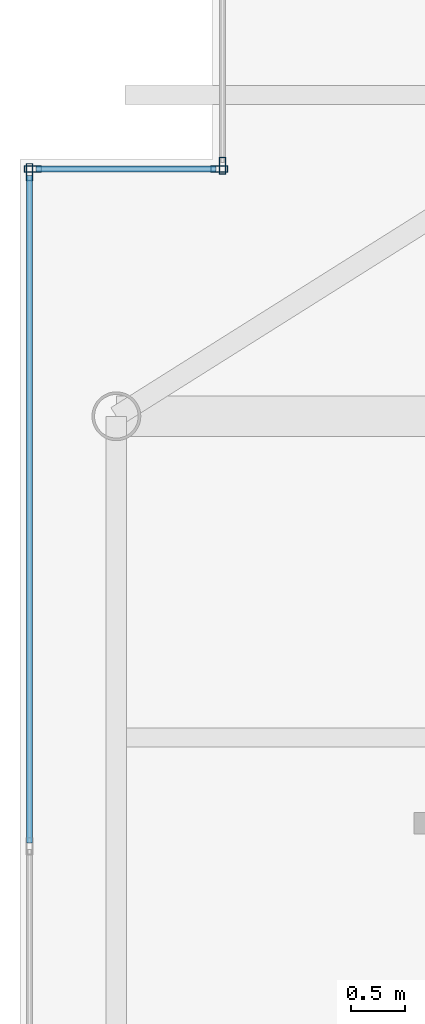
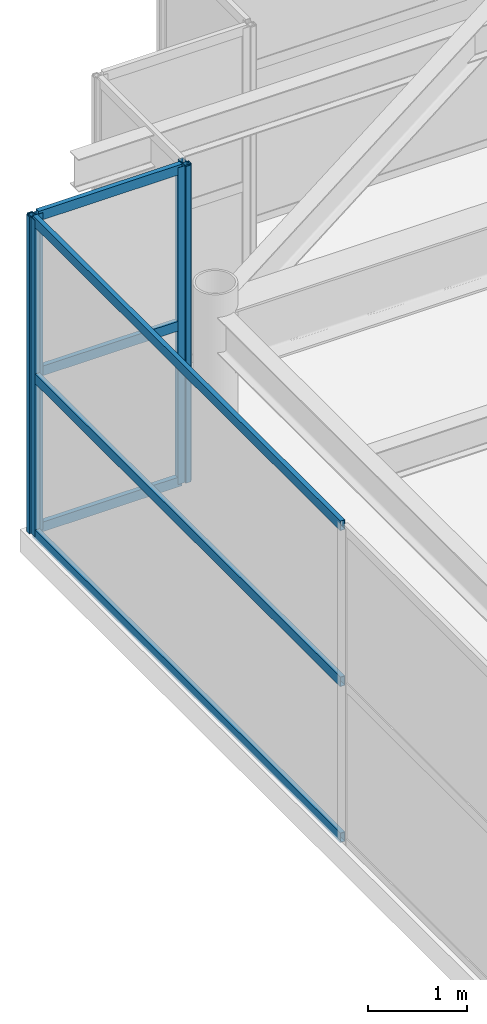
# One storey, part 20 of 32: 10 members, 3 elements without a shape of their own.
"""IFC4 building model written with IfcOpenShell, lengths in metres."""

from ifc_helpers import new_model, si_unit, direction, frame, origin, origin_2d, place, context, subcontext, project, spatial, hollow_rectangle, extrude, source, transform, mapped, material, layer, layer_set, material_profile, profile_set, type_object, element, aggregate, save


model = new_model("IFC4")

# Units and contexts
model_context = context("Model", 3, precision=1e-05, world=origin(), true_north=direction((0.0, 1.0)))
body_context = subcontext(model_context, "Body", "Model", "MODEL_VIEW")
ifc_project = project(units=[si_unit("LENGTHUNIT", "METRE"), si_unit("AREAUNIT", "SQUARE_METRE"), si_unit("VOLUMEUNIT", "CUBIC_METRE"), si_unit("PLANEANGLEUNIT", "RADIAN"), si_unit("MASSUNIT", "GRAM", prefix="KILO")], contexts=[model_context])

# Site, building, storey
site_placement = place(None, origin())
site = spatial("IfcSite", under=ifc_project, at=site_placement, CompositionType="ELEMENT")
building_placement = place(site_placement, origin())
building = spatial("IfcBuilding", under=site, at=building_placement, Name="Khoralis Quay Care Tower", CompositionType="ELEMENT")
storey_placement = place(building_placement, frame((0.0, 0.0, 310.5)))
storey = spatial("IfcBuildingStorey", under=building, at=storey_placement, Name="L81", CompositionType="ELEMENT", Elevation=310.5)

# Curtain wall, members
ifc_material = material(Name="Pale anodised aluminium", Category="aluminium")
ifc_layer = layer(ifc_material, 0.199951171875)
ifc_layer_set = layer_set([ifc_layer], Name="Pale anodised aluminium")
curtain_wall_type = type_object("IfcCurtainWallType", Name="CW-SYS-LANTERN", PredefinedType="NOTDEFINED", material=ifc_layer_set)
curtain_wall_1_placement = place(storey_placement, origin())
curtain_wall_1 = element("IfcCurtainWall", 1, at=curtain_wall_1_placement, inside=storey, type_object=curtain_wall_type, Name="L81 Unitised Curtain Wall CW-LN-L81-16", PredefinedType="NOTDEFINED")
ifc_material_profile_1 = material_profile(ifc_material, hollow_rectangle(XDim=0.054931640625, YDim=0.1201171875, WallThickness=0.00390625, at=origin_2d()), Name="Pale anodised aluminium")
ifc_profile_set_1 = profile_set([ifc_material_profile_1], Name="Pale anodised aluminium")
member_type_1 = type_object("IfcMemberType", Name="CW-TRN-120", PredefinedType="USERDEFINED", material=ifc_profile_set_1)
shared_shape_1 = source(origin(), body_context, "Body", "SweptSolid", [
    extrude(hollow_rectangle(XDim=0.054931640625, YDim=0.1201171875, WallThickness=0.00390625, at=origin_2d()), origin(), (0.0, 0.0, 1.0), 6.23388671875),
])
member_1_placement = place(storey_placement, frame((3.090087890625, 38.25, 0.030029296875), z_axis=(0.0, -1.0, 0.0), x_axis=(1.0, 0.0, 0.0)))
member_1 = element("IfcMember", 2, at=member_1_placement, type_object=member_type_1, Name="CW5 transom 1.1", ObjectType="TRANSOM", PredefinedType="USERDEFINED", context=body_context, shape_type="MappedRepresentation", body=[
    mapped(shared_shape_1, transform((0.0, 0.0, 0.0), scale=1.0)),
])
member_2_placement = place(storey_placement, frame((3.090087890625, 38.25, 1.9599609375), z_axis=(0.0, -1.0, 0.0), x_axis=(1.0, 0.0, 0.0)))
member_2 = element("IfcMember", 3, at=member_2_placement, type_object=member_type_1, Name="CW5 transom 1.2", ObjectType="TRANSOM", PredefinedType="USERDEFINED", context=body_context, shape_type="MappedRepresentation", body=[
    mapped(shared_shape_1, transform((0.0, 0.0, 0.0), scale=1.0)),
])
member_3_placement = place(storey_placement, frame((3.090087890625, 38.25, 3.889892578125), z_axis=(0.0, -1.0, 0.0), x_axis=(1.0, 0.0, 0.0)))
member_3 = element("IfcMember", 4, at=member_3_placement, type_object=member_type_1, Name="CW5 transom 1.3", ObjectType="TRANSOM", PredefinedType="USERDEFINED", context=body_context, shape_type="MappedRepresentation", body=[
    mapped(shared_shape_1, transform((0.0, 0.0, 0.0), scale=1.0)),
])

curtain_wall_2_placement = place(storey_placement, origin())
curtain_wall_2 = element("IfcCurtainWall", 5, at=curtain_wall_2_placement, inside=storey, type_object=curtain_wall_type, Name="L81 Unitised Curtain Wall CW-LN-L81-15", PredefinedType="NOTDEFINED")
shared_shape_2 = source(origin(), body_context, "Body", "SweptSolid", [
    extrude(hollow_rectangle(XDim=0.054931640625, YDim=0.1201171875, WallThickness=0.00390625, at=origin_2d()), origin(), (0.0, 0.0, 1.0), 1.68017578125),
])
member_4_placement = place(storey_placement, frame((4.830078125, 38.31005859375, 0.030029296875), z_axis=(-1.0, 0.0, 0.0), x_axis=(0.0, -1.0, 0.0)))
member_4 = element("IfcMember", 6, at=member_4_placement, type_object=member_type_1, Name="CW5 transom 1.1", ObjectType="TRANSOM", PredefinedType="USERDEFINED", context=body_context, shape_type="MappedRepresentation", body=[
    mapped(shared_shape_2, transform((0.0, 0.0, 0.0), scale=1.0)),
])
member_5_placement = place(storey_placement, frame((4.830078125, 38.31005859375, 1.9599609375), z_axis=(-1.0, 0.0, 0.0), x_axis=(0.0, -1.0, 0.0)))
member_5 = element("IfcMember", 7, at=member_5_placement, type_object=member_type_1, Name="CW5 transom 1.2", ObjectType="TRANSOM", PredefinedType="USERDEFINED", context=body_context, shape_type="MappedRepresentation", body=[
    mapped(shared_shape_2, transform((0.0, 0.0, 0.0), scale=1.0)),
])
member_6_placement = place(storey_placement, frame((4.830078125, 38.31005859375, 3.889892578125), z_axis=(-1.0, 0.0, 0.0), x_axis=(0.0, -1.0, 0.0)))
member_6 = element("IfcMember", 8, at=member_6_placement, type_object=member_type_1, Name="CW5 transom 1.3", ObjectType="TRANSOM", PredefinedType="USERDEFINED", context=body_context, shape_type="MappedRepresentation", body=[
    mapped(shared_shape_2, transform((0.0, 0.0, 0.0), scale=1.0)),
])

# Curtain wall, member
curtain_wall_3_placement = place(storey_placement, origin())
curtain_wall_3 = element("IfcCurtainWall", 9, at=curtain_wall_3_placement, inside=storey, type_object=curtain_wall_type, Name="L81 Unitised Curtain Wall CW-LN-L81-14", PredefinedType="NOTDEFINED")
ifc_material_profile_2 = material_profile(ifc_material, hollow_rectangle(XDim=0.06005859375, YDim=0.159912109375, WallThickness=0.00390625, at=origin_2d()), Name="Pale anodised aluminium")
ifc_profile_set_2 = profile_set([ifc_material_profile_2], Name="Pale anodised aluminium")
member_type_2 = type_object("IfcMemberType", Name="CW-MUL-160", PredefinedType="MULLION", material=ifc_profile_set_2)
shared_shape_3 = source(origin(), body_context, "Body", "SweptSolid", [
    extrude(hollow_rectangle(XDim=0.06005859375, YDim=0.159912109375, WallThickness=0.00390625, at=origin_2d()), origin(), (0.0, 0.0, 1.0), 3.919921875),
])
member_7_placement = place(storey_placement, frame((4.889892578125, 38.340087890625, 0.0), z_axis=(0.0, 0.0, 1.0), x_axis=(1.0, 0.0, 0.0)))
member_7 = element("IfcMember", 10, at=member_7_placement, type_object=member_type_2, Name="CW5 mullion 2", PredefinedType="MULLION", context=body_context, shape_type="MappedRepresentation", body=[
    mapped(shared_shape_3, transform((0.0, 0.0, 0.0), scale=1.0)),
])
aggregate(curtain_wall_3, [member_7])

# Member
member_8_placement = place(storey_placement, frame((4.860107421875, 38.31005859375, 0.0), z_axis=(0.0, 0.0, 1.0), x_axis=(0.0, -1.0, 0.0)))
member_8 = element("IfcMember", 11, at=member_8_placement, type_object=member_type_2, Name="CW5 mullion 1", PredefinedType="MULLION", context=body_context, shape_type="MappedRepresentation", body=[
    mapped(shared_shape_3, transform((0.0, 0.0, 0.0), scale=1.0)),
])

member_9_placement = place(storey_placement, frame((3.1201171875, 38.31005859375, 0.0), z_axis=(0.0, 0.0, 1.0), x_axis=(0.0, -1.0, 0.0)))
member_9 = element("IfcMember", 12, at=member_9_placement, type_object=member_type_2, Name="CW5 mullion 2", PredefinedType="MULLION", context=body_context, shape_type="MappedRepresentation", body=[
    mapped(shared_shape_3, transform((0.0, 0.0, 0.0), scale=1.0)),
])

aggregate(curtain_wall_2, [member_8, member_9, member_4, member_5, member_6])

member_10_placement = place(storey_placement, frame((3.090087890625, 38.280029296875, 0.0), z_axis=(0.0, 0.0, 1.0), x_axis=(1.0, 0.0, 0.0)))
member_10 = element("IfcMember", 13, at=member_10_placement, type_object=member_type_2, Name="CW5 mullion 1", PredefinedType="MULLION", context=body_context, shape_type="MappedRepresentation", body=[
    mapped(shared_shape_3, transform((0.0, 0.0, 0.0), scale=1.0)),
])

aggregate(curtain_wall_1, [member_10, member_1, member_2, member_3])

save(model, "model.ifc")
